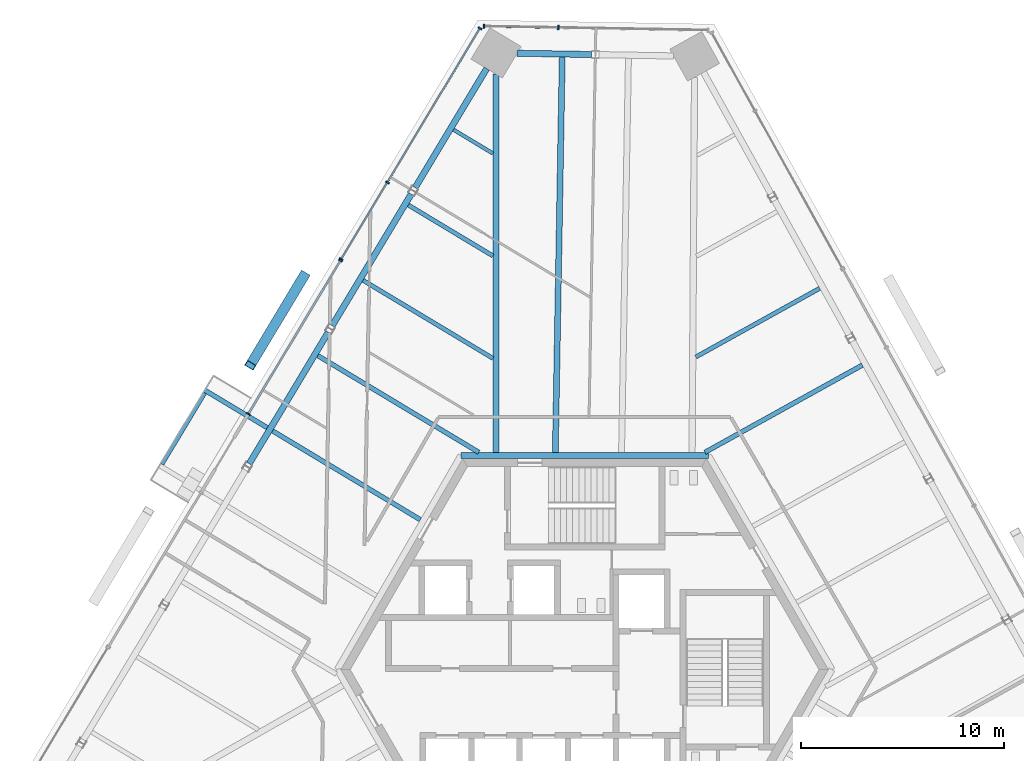
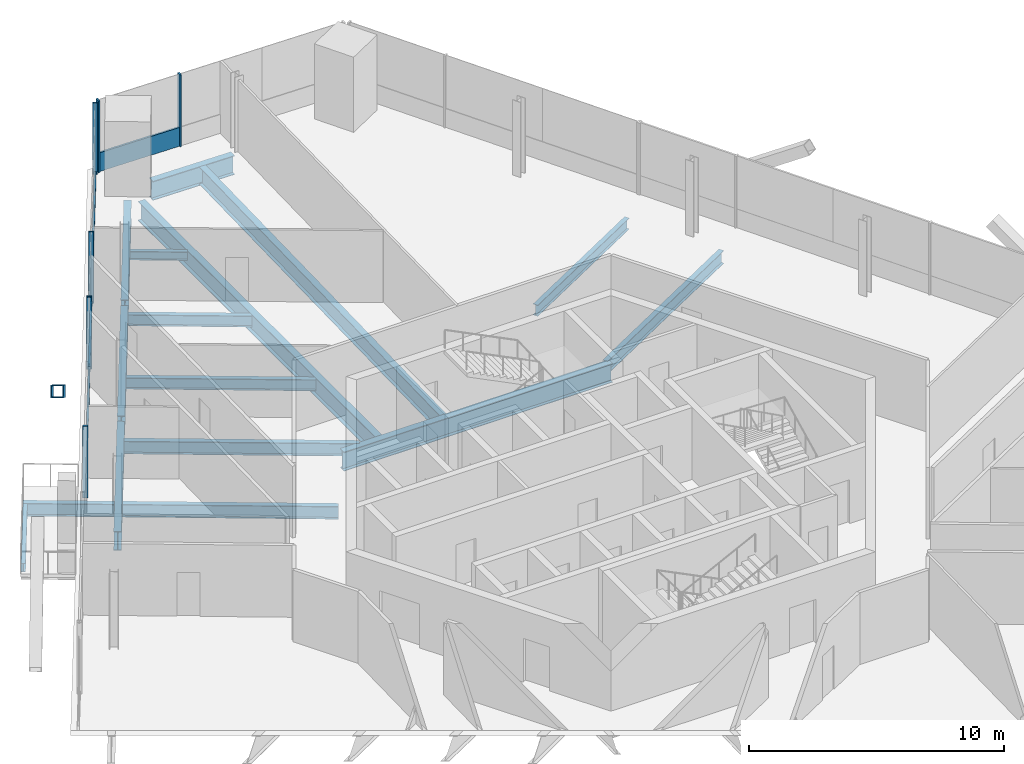
# One storey, part 8 of 18: 16 beams, 12 members, 3 elements without a shape of their own.
"""IFC4 building model written with IfcOpenShell, lengths in metres."""

from ifc_helpers import new_model, si_unit, direction, frame, origin, origin_2d, place, context, subcontext, project, spatial, rectangle, hollow_rectangle, i_section, extrude, source, transform, mapped, material, material_profile, profile_set, type_object, element, aggregate, save


model = new_model("IFC4")

# Units and contexts
model_context = context("Model", 3, precision=1e-05, world=origin(), true_north=direction((0.0, 1.0)))
body_context = subcontext(model_context, "Body", "Model", "MODEL_VIEW")
ifc_project = project(units=[si_unit("LENGTHUNIT", "METRE"), si_unit("AREAUNIT", "SQUARE_METRE"), si_unit("VOLUMEUNIT", "CUBIC_METRE"), si_unit("PLANEANGLEUNIT", "RADIAN"), si_unit("MASSUNIT", "GRAM", prefix="KILO")], contexts=[model_context])

# Site, building, storey
site_placement = place(None, origin())
site = spatial("IfcSite", under=ifc_project, at=site_placement, CompositionType="ELEMENT")
building_placement = place(site_placement, origin())
building = spatial("IfcBuilding", under=site, at=building_placement, Name="Triune Harvest Tower", CompositionType="ELEMENT")
storey_placement = place(building_placement, frame((0.0, 0.0, 190.699951171875)))
storey = spatial("IfcBuildingStorey", under=building, at=storey_placement, Name="L49", CompositionType="ELEMENT", Elevation=190.699951171875)

# Curtain wall, member
ifc_material_1 = material(Name="Aluminium bronze anodised", Category="aluminium")
curtain_wall_type_1 = type_object("IfcCurtainWallType", Name="CW-10 Balcony window wall with insulated spandrel infill", PredefinedType="NOTDEFINED", material=ifc_material_1)
curtain_wall_1_placement = place(storey_placement, origin())
curtain_wall_1 = element("IfcCurtainWall", 1, at=curtain_wall_1_placement, inside=storey, type_object=curtain_wall_type_1, Name="CW-10 B5-F3 L49 run 1001")
ifc_material_2 = material(Name="Aluminium bronze anodised", Category="aluminium")
ifc_material_profile_1 = material_profile(ifc_material_2, rectangle(XDim=0.090087890625, YDim=0.14990234375, at=origin_2d()), Name="TR-6 transom 90 x 150")
ifc_profile_set_1 = profile_set([ifc_material_profile_1], Name="Aluminium bronze anodised")
member_type_1 = type_object("IfcMemberType", Name="TR-6 transom 90 x 150", PredefinedType="USERDEFINED", material=ifc_profile_set_1)
member_1_placement = place(storey_placement, frame((-12.037353515625, 20.113037109375, 0.074951171875), z_axis=(-0.515042298452, -0.857164762928, 0.0), x_axis=(0.857164762928, -0.515042298452, 0.0)))
member_1 = element("IfcMember", 2, at=member_1_placement, type_object=member_type_1, Name="CW-10 transom B5-F3 1001.1", ObjectType="TRANSOM", PredefinedType="USERDEFINED", context=body_context, shape_type="SweptSolid", body=[
    extrude(rectangle(XDim=0.090087890625, YDim=0.14990234375, at=origin_2d()), origin(), (0.0, 0.0, 1.0), 8.7353515625),
])

# Beams
ifc_material_3 = material(Name="Steel ASTM A992 Gr 50", Category="steel")
ifc_material_profile_2 = material_profile(ifc_material_3, i_section(OverallWidth=0.3046875, OverallDepth=0.914306640625, WebThickness=0.0166015625, FlangeThickness=0.02587890625, at=origin_2d()), Name="W36x160")
ifc_profile_set_2 = profile_set([ifc_material_profile_2], Name="Steel ASTM A992 Gr 50")
beam_type_1 = type_object("IfcBeamType", Name="CG-1 Core ring girder W36x160", PredefinedType="BEAM", material=ifc_profile_set_2)
shared_shape_1 = source(origin(), body_context, "Body", "SweptSolid", [
    extrude(i_section(OverallWidth=0.3046875, OverallDepth=0.914306640625, WebThickness=0.0166015625, FlangeThickness=0.02587890625, at=origin_2d()), origin(), (0.0, 0.0, 1.0), 12.17578125),
])
beam_1_placement = place(storey_placement, frame((6.087890625, 10.544677734375, -0.6171875), z_axis=(-1.0, 0.0, 0.0), x_axis=(0.0, -1.0, 0.0)))
element("IfcBeam", 3, at=beam_1_placement, inside=storey, type_object=beam_type_1, Name="beam/L49/CG2", PredefinedType="BEAM", context=body_context, shape_type="MappedRepresentation", body=[
    mapped(shared_shape_1, transform((0.0, 0.0, 0.0), scale=1.0)),
])
ifc_material_4 = material(Name="Steel ASTM A992 Gr 50", Category="steel")
ifc_material_profile_3 = material_profile(ifc_material_4, i_section(OverallWidth=0.3046875, OverallDepth=0.914306640625, WebThickness=0.0166015625, FlangeThickness=0.02587890625, at=origin_2d()), Name="W36x160")
ifc_profile_set_3 = profile_set([ifc_material_profile_3], Name="Steel ASTM A992 Gr 50")
beam_type_2 = type_object("IfcBeamType", Name="SB-1 Spandrel beam W36x160", PredefinedType="SPANDREL", material=ifc_profile_set_3)
shared_shape_2 = source(origin(), body_context, "Body", "SweptSolid", [
    extrude(i_section(OverallWidth=0.3046875, OverallDepth=0.914306640625, WebThickness=0.0166015625, FlangeThickness=0.02587890625, at=origin_2d()), origin(), (0.0, 0.0, 1.0), 3.66357421875),
])
beam_2_placement = place(storey_placement, frame((0.343017578125, 30.281494140625, -0.6171875), z_axis=(-0.999846408449, 0.01752596677, 0.0), x_axis=(-0.01752596677, -0.999846408449, 0.0)))
element("IfcBeam", 4, at=beam_2_placement, inside=storey, type_object=beam_type_2, Name="beam/L49/SB8", PredefinedType="SPANDREL", context=body_context, shape_type="MappedRepresentation", body=[
    mapped(shared_shape_2, transform((0.0, 0.0, 0.0), scale=1.0)),
])
shared_shape_3 = source(origin(), body_context, "Body", "SweptSolid", [
    extrude(i_section(OverallWidth=0.3046875, OverallDepth=0.914306640625, WebThickness=0.0166015625, FlangeThickness=0.02587890625, at=origin_2d()), origin(), (0.0, 0.0, 1.0), 6.842041015625),
])
beam_3_placement = place(storey_placement, frame((-4.822509765625, 29.59228515625, -0.6171875), z_axis=(-0.515041383774, -0.857165312527, 0.0), x_axis=(0.857165312527, -0.515041383774, 0.0)))
element("IfcBeam", 5, at=beam_3_placement, inside=storey, type_object=beam_type_2, Name="beam/L49/SB9", PredefinedType="SPANDREL", context=body_context, shape_type="MappedRepresentation", body=[
    mapped(shared_shape_3, transform((0.0, 0.0, 0.0), scale=1.0)),
])
shared_shape_4 = source(origin(), body_context, "Body", "SweptSolid", [
    extrude(i_section(OverallWidth=0.3046875, OverallDepth=0.914306640625, WebThickness=0.0166015625, FlangeThickness=0.02587890625, at=origin_2d()), origin(), (0.0, 0.0, 1.0), 7.556640625),
])
for number, where, z_axis, x_axis, name in (
    (6, (-8.537353515625, 23.409912109375, -0.6171875), (-0.515027794287, -0.857173477839, 0.0), (0.857173477839, -0.515027794287, 0.0), "beam/L49/SB10"),
    (7, (-12.6201171875, 16.614990234375, -0.6171875), (-0.515027794287, -0.857173477839, 0.0), (0.857173477839, -0.515027794287, 0.0), "beam/L49/SB11"),
):
    element("IfcBeam", number, at=place(storey_placement, frame(where, z_axis=z_axis, x_axis=x_axis)), inside=storey, type_object=beam_type_2, Name=name, PredefinedType="SPANDREL", context=body_context, shape_type="MappedRepresentation", body=[
        mapped(shared_shape_4, transform((0.0, 0.0, 0.0), scale=1.0)),
    ])
ifc_material_5 = material(Name="Steel ASTM A992 Gr 50", Category="steel")
ifc_material_profile_4 = material_profile(ifc_material_5, i_section(OverallWidth=0.307373046875, OverallDepth=0.922119140625, WebThickness=0.018310546875, FlangeThickness=0.030029296875, at=origin_2d()), Name="W36x182")
ifc_profile_set_4 = profile_set([ifc_material_profile_4], Name="Steel ASTM A992 Gr 50")
beam_type_3 = type_object("IfcBeamType", Name="HG-2 Hip girder W36x182", PredefinedType="BEAM", material=ifc_profile_set_4)
shared_shape_5 = source(origin(), body_context, "Body", "SweptSolid", [
    extrude(i_section(OverallWidth=0.307373046875, OverallDepth=0.922119140625, WebThickness=0.018310546875, FlangeThickness=0.030029296875, at=origin_2d()), origin(), (0.0, 0.0, 1.0), 18.61669921875),
])
beam_4_placement = place(storey_placement, frame((-4.359130859375, 29.313720703125, -0.620849609375), z_axis=(0.0, -1.0, 0.0), x_axis=(1.0, 0.0, 0.0)))
element("IfcBeam", 8, at=beam_4_placement, inside=storey, type_object=beam_type_3, Name="beam/L49/HG4", PredefinedType="BEAM", context=body_context, shape_type="MappedRepresentation", body=[
    mapped(shared_shape_5, transform((0.0, 0.0, 0.0), scale=1.0)),
])
ifc_material_6 = material(Name="Steel ASTM A992 Gr 50", Category="steel")
ifc_material_profile_5 = material_profile(ifc_material_6, i_section(OverallWidth=0.180908203125, OverallDepth=0.41650390625, WebThickness=0.010986328125, FlangeThickness=0.01806640625, at=origin_2d()), Name="W16x57")
ifc_profile_set_5 = profile_set([ifc_material_profile_5], Name="Steel ASTM A992 Gr 50")
beam_type_4 = type_object("IfcBeamType", Name="JT-1 Floor joist W16x57", PredefinedType="JOIST", material=ifc_profile_set_5)
shared_shape_6 = source(origin(), body_context, "Body", "SweptSolid", [
    extrude(i_section(OverallWidth=0.180908203125, OverallDepth=0.41650390625, WebThickness=0.010986328125, FlangeThickness=0.01806640625, at=origin_2d()), origin(), (0.0, 0.0, 1.0), 2.266357421875),
])
beam_5_placement = place(storey_placement, frame((-6.455322265625, 26.578857421875, -0.3681640625), z_axis=(0.857169580884, -0.515034280031, 0.0), x_axis=(0.515034280031, 0.857169580884, 0.0)))
element("IfcBeam", 9, at=beam_5_placement, inside=storey, type_object=beam_type_4, Name="beam/L49/JT13", PredefinedType="JOIST", context=body_context, shape_type="MappedRepresentation", body=[
    mapped(shared_shape_6, transform((0.0, 0.0, 0.0), scale=1.0)),
])
ifc_material_7 = material(Name="Steel ASTM A992 Gr 50", Category="steel")
ifc_material_profile_6 = material_profile(ifc_material_7, i_section(OverallWidth=0.22900390625, OverallDepth=0.612060546875, WebThickness=0.011962890625, FlangeThickness=0.01953125, at=origin_2d()), Name="W24x84")
ifc_profile_set_6 = profile_set([ifc_material_profile_6], Name="Steel ASTM A992 Gr 50")
beam_type_5 = type_object("IfcBeamType", Name="JT-3 Floor joist W24x84", PredefinedType="JOIST", material=ifc_profile_set_6)
shared_shape_7 = source(origin(), body_context, "Body", "SweptSolid", [
    extrude(i_section(OverallWidth=0.22900390625, OverallDepth=0.612060546875, WebThickness=0.011962890625, FlangeThickness=0.01953125, at=origin_2d()), origin(), (0.0, 0.0, 1.0), 9.247314453125),
])
beam_6_placement = place(storey_placement, frame((-13.136474609375, 15.459716796875, -0.466064453125), z_axis=(0.857168952485, -0.515035325872, 0.0), x_axis=(0.515035325872, 0.857168952485, 0.0)))
element("IfcBeam", 10, at=beam_6_placement, inside=storey, type_object=beam_type_5, Name="beam/L49/JT16", PredefinedType="JOIST", context=body_context, shape_type="MappedRepresentation", body=[
    mapped(shared_shape_7, transform((0.0, 0.0, 0.0), scale=1.0)),
])
shared_shape_8 = source(origin(), body_context, "Body", "SweptSolid", [
    extrude(i_section(OverallWidth=0.22900390625, OverallDepth=0.612060546875, WebThickness=0.011962890625, FlangeThickness=0.01953125, at=origin_2d()), origin(), (0.0, 0.0, 1.0), 8.85888671875),
])
beam_7_placement = place(storey_placement, frame((13.66796875, 14.991943359375, -0.466064453125), z_axis=(-0.874614472557, -0.484819063563, 0.0), x_axis=(0.484819063563, -0.874614472557, 0.0)))
element("IfcBeam", 11, at=beam_7_placement, inside=storey, type_object=beam_type_5, Name="beam/L49/JT7", PredefinedType="JOIST", context=body_context, shape_type="MappedRepresentation", body=[
    mapped(shared_shape_8, transform((0.0, 0.0, 0.0), scale=1.0)),
])
ifc_material_8 = material(Name="Steel ASTM A992 Gr 50", Category="steel")
ifc_material_profile_7 = material_profile(ifc_material_8, i_section(OverallWidth=0.2099609375, OverallDepth=0.535888671875, WebThickness=0.010986328125, FlangeThickness=0.017333984375, at=origin_2d()), Name="W21x68")
ifc_profile_set_7 = profile_set([ifc_material_profile_7], Name="Steel ASTM A992 Gr 50")
beam_type_6 = type_object("IfcBeamType", Name="JT-2 Floor joist W21x68", PredefinedType="JOIST", material=ifc_profile_set_7)
shared_shape_9 = source(origin(), body_context, "Body", "SweptSolid", [
    extrude(i_section(OverallWidth=0.2099609375, OverallDepth=0.535888671875, WebThickness=0.010986328125, FlangeThickness=0.017333984375, at=origin_2d()), origin(), (0.0, 0.0, 1.0), 6.97265625),
])
beam_8_placement = place(storey_placement, frame((11.57177734375, 18.773681640625, -0.427978515625), z_axis=(-0.874620980943, -0.484807322236, 0.0), x_axis=(0.484807322236, -0.874620980943, 0.0)))
element("IfcBeam", 12, at=beam_8_placement, inside=storey, type_object=beam_type_6, Name="beam/L49/JT8", PredefinedType="JOIST", context=body_context, shape_type="MappedRepresentation", body=[
    mapped(shared_shape_9, transform((0.0, 0.0, 0.0), scale=1.0)),
])
ifc_material_9 = material(Name="Steel ASTM A992 Gr 50", Category="steel")
ifc_material_profile_8 = material_profile(ifc_material_9, i_section(OverallWidth=0.2919921875, OverallDepth=0.8408203125, WebThickness=0.0146484375, FlangeThickness=0.021728515625, at=origin_2d()), Name="W33x130")
ifc_profile_set_8 = profile_set([ifc_material_profile_8], Name="Steel ASTM A992 Gr 50")
beam_type_7 = type_object("IfcBeamType", Name="JT-6 Floor joist W33x130", PredefinedType="JOIST", material=ifc_profile_set_8)
shared_shape_10 = source(origin(), body_context, "Body", "SweptSolid", [
    extrude(i_section(OverallWidth=0.2919921875, OverallDepth=0.8408203125, WebThickness=0.0146484375, FlangeThickness=0.021728515625, at=origin_2d()), origin(), (0.0, 0.0, 1.0), 19.460205078125),
])
beam_9_placement = place(storey_placement, frame((-1.103515625, 30.154296875, -0.580322265625), z_axis=(-0.017450947707, -0.999847720618, 0.0), x_axis=(0.999847720618, -0.017450947707, 0.0)))
element("IfcBeam", 13, at=beam_9_placement, inside=storey, type_object=beam_type_7, Name="beam/L49/JT12", PredefinedType="JOIST", context=body_context, shape_type="MappedRepresentation", body=[
    mapped(shared_shape_10, transform((0.0, 0.0, 0.0), scale=1.0)),
])
shared_shape_11 = source(origin(), body_context, "Body", "SweptSolid", [
    extrude(i_section(OverallWidth=0.2099609375, OverallDepth=0.535888671875, WebThickness=0.010986328125, FlangeThickness=0.017333984375, at=origin_2d()), origin(), (0.0, 0.0, 1.0), 4.864501953125),
])
beam_10_placement = place(storey_placement, frame((-8.682373046875, 22.87255859375, -0.427978515625), z_axis=(0.857169483424, -0.515034442233, 0.0), x_axis=(0.515034442233, 0.857169483424, 0.0)))
element("IfcBeam", 14, at=beam_10_placement, inside=storey, type_object=beam_type_6, Name="beam/L49/JT14", PredefinedType="JOIST", context=body_context, shape_type="MappedRepresentation", body=[
    mapped(shared_shape_11, transform((0.0, 0.0, 0.0), scale=1.0)),
])
shared_shape_12 = source(origin(), body_context, "Body", "SweptSolid", [
    extrude(i_section(OverallWidth=0.2099609375, OverallDepth=0.535888671875, WebThickness=0.010986328125, FlangeThickness=0.017333984375, at=origin_2d()), origin(), (0.0, 0.0, 1.0), 7.462646484375),
])
beam_11_placement = place(storey_placement, frame((-10.909423828125, 19.166259765625, -0.427978515625), z_axis=(0.857169453827, -0.515034491492, 0.0), x_axis=(0.515034491492, 0.857169453827, 0.0)))
element("IfcBeam", 15, at=beam_11_placement, inside=storey, type_object=beam_type_6, Name="beam/L49/JT15", PredefinedType="JOIST", context=body_context, shape_type="MappedRepresentation", body=[
    mapped(shared_shape_12, transform((0.0, 0.0, 0.0), scale=1.0)),
])
shared_shape_13 = source(origin(), body_context, "Body", "SweptSolid", [
    extrude(i_section(OverallWidth=0.22900390625, OverallDepth=0.612060546875, WebThickness=0.011962890625, FlangeThickness=0.01953125, at=origin_2d()), origin(), (0.0, 0.0, 1.0), 8.48583984375),
])
beam_12_placement = place(storey_placement, frame((-15.36328125, 11.75341796875, -0.466064453125), z_axis=(0.857160193187, -0.515049903616, 0.0), x_axis=(0.515049903616, 0.857160193187, 0.0)))
element("IfcBeam", 16, at=beam_12_placement, inside=storey, type_object=beam_type_5, Name="beam/L49/JT17", PredefinedType="JOIST", context=body_context, shape_type="MappedRepresentation", body=[
    mapped(shared_shape_13, transform((0.0, 0.0, 0.0), scale=1.0)),
])

# Member
ifc_material_10 = material(Name="Steel ASTM A572 Gr 50", Category="steel")
ifc_material_profile_9 = material_profile(ifc_material_10, hollow_rectangle(XDim=0.5, YDim=0.5, WallThickness=0.030029296875, at=origin_2d()), Name="Box 500x500x30")
ifc_profile_set_9 = profile_set([ifc_material_profile_9], Name="Steel ASTM A572 Gr 50")
member_type_2 = type_object("IfcMemberType", Name="BR-3 Brace Box 500x500x30", PredefinedType="BRACE", material=ifc_profile_set_9)
shared_shape_14 = source(origin(), body_context, "Body", "SweptSolid", [
    extrude(hollow_rectangle(XDim=0.5, YDim=0.5, WallThickness=0.030029296875, at=origin_2d()), origin(), (0.0, 0.0, 1.0), 6.302978515625),
])
member_2_placement = place(storey_placement, frame((-13.7958984375, 19.4189453125, 0.0), z_axis=(-0.422784976132, -0.703569977687, 0.571176111593), x_axis=(0.857147139757, -0.515071626869, 0.0)))
element("IfcMember", 17, at=member_2_placement, inside=storey, type_object=member_type_2, Name="brace/B5-F3/d1/4", PredefinedType="BRACE", context=body_context, shape_type="MappedRepresentation", body=[
    mapped(shared_shape_14, transform((0.0, 0.0, 0.0), scale=1.0)),
])

# Curtain wall, members
ifc_material_11 = material(Name="Aluminium bronze anodised", Category="aluminium")
curtain_wall_type_2 = type_object("IfcCurtainWallType", Name="CW-1 Tower stick curtain wall", PredefinedType="NOTDEFINED", material=ifc_material_11)
curtain_wall_2_placement = place(storey_placement, origin())
curtain_wall_2 = element("IfcCurtainWall", 18, at=curtain_wall_2_placement, inside=storey, type_object=curtain_wall_type_2, Name="CW-1 B5-F2 L49 run 1")
ifc_material_12 = material(Name="Aluminium bronze anodised", Category="aluminium")
ifc_material_profile_10 = material_profile(ifc_material_12, rectangle(XDim=0.199951171875, YDim=0.074951171875, at=origin_2d()), Name="MU-1 mullion 75 x 200")
ifc_profile_set_10 = profile_set([ifc_material_profile_10], Name="Aluminium bronze anodised")
member_type_3 = type_object("IfcMemberType", Name="MU-1 mullion 75 x 200", PredefinedType="MULLION", material=ifc_profile_set_10)
shared_shape_15 = source(origin(), body_context, "Body", "SweptSolid", [
    extrude(rectangle(XDim=0.199951171875, YDim=0.074951171875, at=origin_2d()), origin(), (0.0, 0.0, 1.0), 3.43994140625),
])
member_3_placement = place(storey_placement, frame((-1.298583984375, 31.612548828125, 0.0), z_axis=(0.0, 0.0, 1.0), x_axis=(-0.017446318452, -0.999847801404, 0.0)))
member_3 = element("IfcMember", 19, at=member_3_placement, type_object=member_type_3, Name="CW-1 mullion B5-F2 1.3", PredefinedType="MULLION", context=body_context, shape_type="MappedRepresentation", body=[
    mapped(shared_shape_15, transform((0.0, 0.0, 0.0), scale=1.0)),
])
member_4_placement = place(storey_placement, frame((-4.960693359375, 31.676513671875, 0.0), z_axis=(0.0, 0.0, 1.0), x_axis=(-0.017446318452, -0.999847801404, 0.0)))
member_4 = element("IfcMember", 20, at=member_4_placement, type_object=member_type_3, Name="CW-1 mullion B5-F2 1.4", PredefinedType="MULLION", context=body_context, shape_type="MappedRepresentation", body=[
    mapped(shared_shape_15, transform((0.0, 0.0, 0.0), scale=1.0)),
])

ifc_material_13 = material(Name="Aluminium bronze anodised", Category="aluminium")
curtain_wall_type_3 = type_object("IfcCurtainWallType", Name="CW-6 Balcony window wall", PredefinedType="NOTDEFINED", material=ifc_material_13)
curtain_wall_3_placement = place(storey_placement, origin())
curtain_wall_3 = element("IfcCurtainWall", 21, at=curtain_wall_3_placement, inside=storey, type_object=curtain_wall_type_3, Name="CW-6 B5-F3 L49 run 1")
ifc_material_14 = material(Name="Aluminium bronze anodised", Category="aluminium")
ifc_material_profile_11 = material_profile(ifc_material_14, rectangle(XDim=0.199951171875, YDim=0.074951171875, at=origin_2d()), Name="MU-6 mullion 75 x 200")
ifc_profile_set_11 = profile_set([ifc_material_profile_11], Name="Aluminium bronze anodised")
member_type_4 = type_object("IfcMemberType", Name="MU-6 mullion 75 x 200", PredefinedType="MULLION", material=ifc_profile_set_11)
shared_shape_16 = source(origin(), body_context, "Body", "SweptSolid", [
    extrude(rectangle(XDim=0.199951171875, YDim=0.074951171875, at=origin_2d()), origin(), (0.0, 0.0, 1.0), 3.43994140625),
])
member_5_placement = place(storey_placement, frame((-5.15380859375, 31.5693359375, 0.0), z_axis=(0.0, 0.0, 1.0), x_axis=(0.857168564281, -0.515035971956, 0.0)))
member_5 = element("IfcMember", 22, at=member_5_placement, type_object=member_type_4, Name="CW-6 mullion B5-F3 1.1", PredefinedType="MULLION", context=body_context, shape_type="MappedRepresentation", body=[
    mapped(shared_shape_16, transform((0.0, 0.0, 0.0), scale=1.0)),
])
member_6_placement = place(storey_placement, frame((-9.710693359375, 23.9853515625, 0.0), z_axis=(0.0, 0.0, 1.0), x_axis=(0.857168564281, -0.515035971956, 0.0)))
member_6 = element("IfcMember", 23, at=member_6_placement, type_object=member_type_4, Name="CW-6 mullion B5-F3 1.3", PredefinedType="MULLION", context=body_context, shape_type="MappedRepresentation", body=[
    mapped(shared_shape_16, transform((0.0, 0.0, 0.0), scale=1.0)),
])
member_7_placement = place(storey_placement, frame((-11.9794921875, 20.20947265625, 0.0), z_axis=(0.0, 0.0, 1.0), x_axis=(0.857168564281, -0.515035971956, 0.0)))
member_7 = element("IfcMember", 24, at=member_7_placement, type_object=member_type_4, Name="CW-6 mullion B5-F3 1.4", PredefinedType="MULLION", context=body_context, shape_type="MappedRepresentation", body=[
    mapped(shared_shape_16, transform((0.0, 0.0, 0.0), scale=1.0)),
])

# Member
member_8_placement = place(storey_placement, frame((-12.01806640625, 20.145263671875, 0.0), z_axis=(0.0, 0.0, 1.0), x_axis=(0.85716757247, -0.515037622612, 0.0)))
member_8 = element("IfcMember", 25, at=member_8_placement, type_object=member_type_4, Name="CW-10 mullion B5-F3 1001.1", PredefinedType="MULLION", context=body_context, shape_type="MappedRepresentation", body=[
    mapped(shared_shape_16, transform((0.0, 0.0, 0.0), scale=1.0)),
])

member_9_placement = place(storey_placement, frame((-16.5556640625, 12.59326171875, 0.0), z_axis=(0.0, 0.0, 1.0), x_axis=(0.85716757247, -0.515037622612, 0.0)))
member_9 = element("IfcMember", 26, at=member_9_placement, type_object=member_type_4, Name="CW-10 mullion B5-F3 1001.3", PredefinedType="MULLION", context=body_context, shape_type="MappedRepresentation", body=[
    mapped(shared_shape_16, transform((0.0, 0.0, 0.0), scale=1.0)),
])

aggregate(curtain_wall_1, [member_8, member_9, member_1])

# Beam
ifc_material_15 = material(Name="Steel ASTM A992 Gr 50", Category="steel")
ifc_material_profile_12 = material_profile(ifc_material_15, i_section(OverallWidth=0.22900390625, OverallDepth=0.612060546875, WebThickness=0.011962890625, FlangeThickness=0.01953125, at=origin_2d()), Name="W24x84")
ifc_profile_set_12 = profile_set([ifc_material_profile_12], Name="Steel ASTM A992 Gr 50")
beam_type_8 = type_object("IfcBeamType", Name="BJ-3 Balcony cantilever joist W24x84", PredefinedType="JOIST", material=ifc_profile_set_12)
shared_shape_17 = source(origin(), body_context, "Body", "SweptSolid", [
    extrude(i_section(OverallWidth=0.22900390625, OverallDepth=0.612060546875, WebThickness=0.011962890625, FlangeThickness=0.01953125, at=origin_2d()), origin(), (0.0, 0.0, 1.0), 3.597900390625),
])
beam_13_placement = place(storey_placement, frame((-15.62451171875, 11.910400390625, -0.466064453125), z_axis=(-0.85716943782, 0.515034518133, 0.0), x_axis=(-0.515034518133, -0.85716943782, 0.0)))
element("IfcBeam", 27, at=beam_13_placement, inside=storey, type_object=beam_type_8, Name="Balcony cantilever joist B5-F3 L49.6a", PredefinedType="JOIST", context=body_context, shape_type="MappedRepresentation", body=[
    mapped(shared_shape_17, transform((0.0, 0.0, 0.0), scale=1.0)),
])

# Member
ifc_material_16 = material(Name="Aluminium bronze anodised", Category="aluminium")
ifc_material_profile_13 = material_profile(ifc_material_16, rectangle(XDim=0.090087890625, YDim=0.89990234375, at=origin_2d()), Name="TR-1 transom 90 x 900")
ifc_profile_set_13 = profile_set([ifc_material_profile_13], Name="Aluminium bronze anodised")
member_type_5 = type_object("IfcMemberType", Name="TR-1 transom 90 x 900", PredefinedType="USERDEFINED", material=ifc_profile_set_13)
shared_shape_18 = source(origin(), body_context, "Body", "SweptSolid", [
    extrude(rectangle(XDim=0.090087890625, YDim=0.89990234375, at=origin_2d()), origin(), (0.0, 0.0, 1.0), 3.58740234375),
])
member_10_placement = place(storey_placement, frame((-1.336181640625, 31.61328125, 0.449951171875), z_axis=(-0.999848228853, 0.017421804151, 0.0), x_axis=(-0.017421804151, -0.999848228853, 0.0)))
member_10 = element("IfcMember", 28, at=member_10_placement, type_object=member_type_5, Name="CW-1 transom B5-F2 1.2", ObjectType="TRANSOM", PredefinedType="USERDEFINED", context=body_context, shape_type="MappedRepresentation", body=[
    mapped(shared_shape_18, transform((0.0, 0.0, 0.0), scale=1.0)),
])

aggregate(curtain_wall_2, [member_3, member_4, member_10])

shared_shape_19 = source(origin(), body_context, "Body", "SweptSolid", [
    extrude(rectangle(XDim=0.090087890625, YDim=0.14990234375, at=origin_2d()), origin(), (0.0, 0.0, 1.0), 8.772705078125),
])
member_11_placement = place(storey_placement, frame((-5.173095703125, 31.537353515625, 0.074951171875), z_axis=(-0.515035868116, -0.857168626674, 0.0), x_axis=(0.857168626674, -0.515035868116, 0.0)))
member_11 = element("IfcMember", 29, at=member_11_placement, type_object=member_type_1, Name="CW-6 transom B5-F3 1.1", ObjectType="TRANSOM", PredefinedType="USERDEFINED", context=body_context, shape_type="MappedRepresentation", body=[
    mapped(shared_shape_19, transform((0.0, 0.0, 0.0), scale=1.0)),
])

shared_shape_20 = source(origin(), body_context, "Body", "SweptSolid", [
    extrude(rectangle(XDim=0.090087890625, YDim=0.14990234375, at=origin_2d()), origin(), (0.0, 0.0, 1.0), 4.330078125),
])
member_12_placement = place(storey_placement, frame((-9.72998046875, 23.953125, 0.074951171875), z_axis=(-0.515067772597, -0.857149455831, 0.0), x_axis=(0.857149455831, -0.515067772597, 0.0)))
member_12 = element("IfcMember", 30, at=member_12_placement, type_object=member_type_1, Name="CW-6 transom B5-F3 1.2", ObjectType="TRANSOM", PredefinedType="USERDEFINED", context=body_context, shape_type="MappedRepresentation", body=[
    mapped(shared_shape_20, transform((0.0, 0.0, 0.0), scale=1.0)),
])

aggregate(curtain_wall_3, [member_5, member_6, member_7, member_11, member_12])

# Beam
ifc_material_17 = material(Name="Steel ASTM A992 Gr 50", Category="steel")
ifc_material_profile_14 = material_profile(ifc_material_17, i_section(OverallWidth=0.180908203125, OverallDepth=0.41650390625, WebThickness=0.010986328125, FlangeThickness=0.01806640625, at=origin_2d()), Name="W16x57")
ifc_profile_set_14 = profile_set([ifc_material_profile_14], Name="Steel ASTM A992 Gr 50")
beam_type_9 = type_object("IfcBeamType", Name="BE-1 balcony edge beam W16x57", PredefinedType="BEAM", material=ifc_profile_set_14)
shared_shape_21 = source(origin(), body_context, "Body", "SweptSolid", [
    extrude(i_section(OverallWidth=0.180908203125, OverallDepth=0.41650390625, WebThickness=0.010986328125, FlangeThickness=0.01806640625, at=origin_2d()), origin(), (0.0, 0.0, 1.0), 4.094970703125),
])
beam_14_placement = place(storey_placement, frame((-20.799072265625, 10.108642578125, -0.3681640625), z_axis=(0.515056774239, 0.857156064734, 0.0), x_axis=(-0.857156064734, 0.515056774239, 0.0)))
element("IfcBeam", 31, at=beam_14_placement, inside=storey, type_object=beam_type_9, Name="Balcony edge beam B5-F3 L49.6", PredefinedType="BEAM", context=body_context, shape_type="MappedRepresentation", body=[
    mapped(shared_shape_21, transform((0.0, 0.0, 0.0), scale=1.0)),
])

save(model, "model.ifc")
